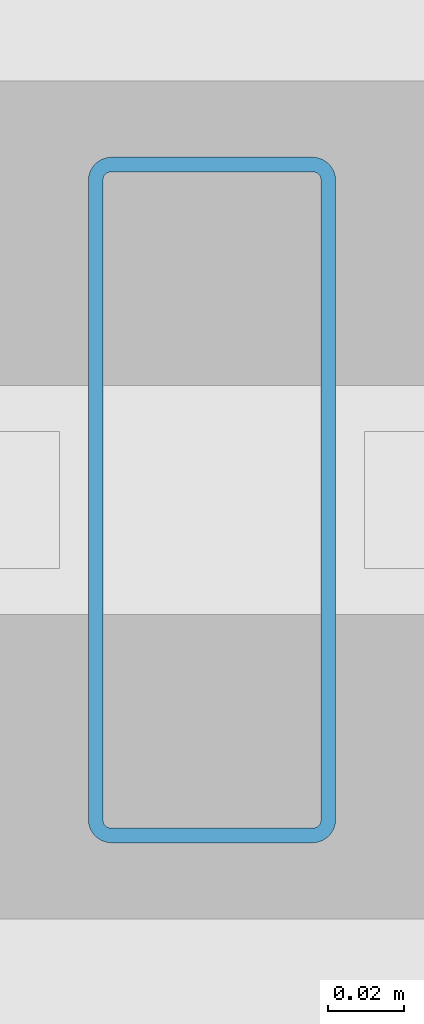
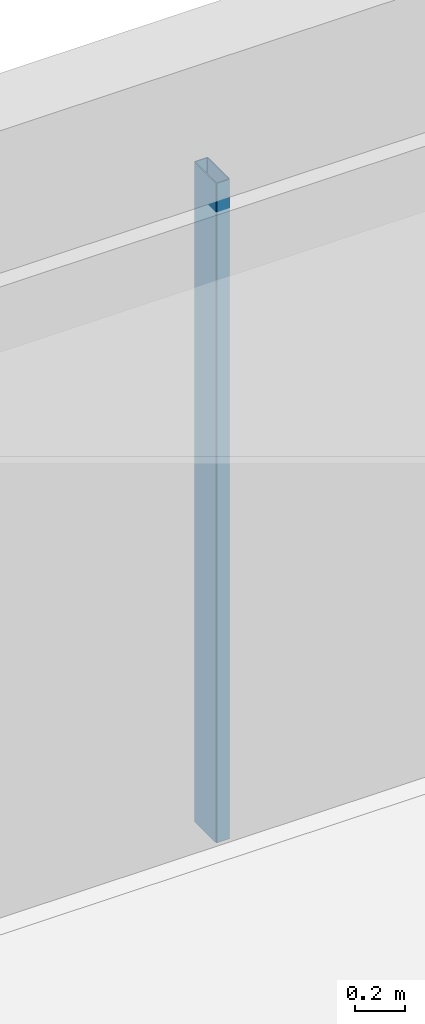
# One storey, part 10 of 63: 1 member, 1 element without a shape of its own.
"""IFC4 building model written with IfcOpenShell, lengths in metres."""

import ifcopenshell
import ifcopenshell.guid

model = None  # the IFC model being written
_history = None  # IfcOwnerHistory: only IFC2X3 demands one
_inside = {}  # id of a spatial element -> (the spatial element, [elements in it])
_under = {}  # id of a project, library or spatial element -> (it, [spatial elements below it])
_declared = {}  # id of a project -> (the project, [libraries it declares])
_typed = {}  # id of a type object -> (the type object, [elements of that type])
_made_of = {}  # id of a material, layer set ... -> (it, [elements and type objects made of it])


def new_model(schema):
    """Start an empty IFC model of exactly this schema.

    Asked for "IFC4X3", IfcOpenShell would pick the latest addendum, in which some entities
    have other attributes; the version numbers below select the first issue.
    IFC2X3 requires an IfcOwnerHistory on every rooted entity: one is made here for all.
    """
    global model, _history
    if schema == "IFC4X3":
        model = ifcopenshell.file(schema_version=(4, 3, 0, 0))
    else:
        model = ifcopenshell.file(schema=schema)
    _inside.clear()
    _under.clear()
    _declared.clear()
    _typed.clear()
    _made_of.clear()
    _history = None
    if model.schema == "IFC2X3":
        org = make("IfcOrganization", Name="unknown")
        user = make(
            "IfcPersonAndOrganization",
            ThePerson=make("IfcPerson", FamilyName="unknown"),
            TheOrganization=org,
        )
        app = make(
            "IfcApplication",
            ApplicationDeveloper=org,
            Version="unknown",
            ApplicationFullName="unknown",
            ApplicationIdentifier="unknown",
        )
        _history = make(
            "IfcOwnerHistory",
            OwningUser=user,
            OwningApplication=app,
            ChangeAction="ADDED",
            CreationDate=0,
        )
    return model


def make(cls, **values):
    """One entity of the class cls with the attributes given. An attribute that is None is left unset."""
    return model.create_entity(
        cls, **{name: value for name, value in values.items() if value is not None}
    )


def rooted(cls, **values):
    """An entity with a GlobalId (a new one), such as an element, a storey or a relation."""
    return make(cls, GlobalId=ifcopenshell.guid.new(), OwnerHistory=_history, **values)


def si_unit(unit_type, name, prefix=None):
    """IfcSIUnit, for example si_unit("LENGTHUNIT", "METRE", prefix="MILLI")."""
    return make("IfcSIUnit", UnitType=unit_type, Prefix=prefix, Name=name)


def assignment(units):
    """IfcUnitAssignment: the units of a project."""
    return None if units is None else make("IfcUnitAssignment", Units=units)


def point(xyz):
    """IfcCartesianPoint."""
    return None if xyz is None else make("IfcCartesianPoint", Coordinates=xyz)


def direction(xyz):
    """IfcDirection."""
    return None if xyz is None else make("IfcDirection", DirectionRatios=xyz)


def frame(location, z_axis=None, x_axis=None):
    """IfcAxis2Placement3D, a coordinate frame: its origin and axes. An axis left out is left unset."""
    return make(
        "IfcAxis2Placement3D",
        Location=point(location),
        Axis=direction(z_axis),
        RefDirection=direction(x_axis),
    )


def frame_2d(location, x_axis=None):
    """IfcAxis2Placement2D, a coordinate frame in the plane: its origin and x axis."""
    return make(
        "IfcAxis2Placement2D", Location=point(location), RefDirection=direction(x_axis)
    )


def origin():
    """The frame at (0, 0, 0) with its axes left unset."""
    return frame((0.0, 0.0, 0.0))


def origin_2d():
    """The frame at (0, 0) in the plane with its x axis left unset."""
    return frame_2d((0.0, 0.0))


def place(relative_to, where):
    """IfcLocalPlacement: puts the frame where relative to a parent placement (None: the world)."""
    return make(
        "IfcLocalPlacement", PlacementRelTo=relative_to, RelativePlacement=where
    )


def context(
    kind, dimensions, precision=None, world=None, true_north=None, identifier=None
):
    """IfcGeometricRepresentationContext, for example the 3D "Model" context."""
    return make(
        "IfcGeometricRepresentationContext",
        ContextIdentifier=identifier,
        ContextType=kind,
        CoordinateSpaceDimension=dimensions,
        Precision=precision,
        WorldCoordinateSystem=world,
        TrueNorth=true_north,
    )


def subcontext(parent, identifier, kind, view, scale=None):
    """IfcGeometricRepresentationSubContext, for example "Body" below "Model"."""
    return make(
        "IfcGeometricRepresentationSubContext",
        ContextIdentifier=identifier,
        ContextType=kind,
        ParentContext=parent,
        TargetScale=scale,
        TargetView=view,
    )


def project(units=None, contexts=None):
    """IfcProject with its units and contexts."""
    return rooted(
        "IfcProject",
        Name="project",
        RepresentationContexts=contexts,
        UnitsInContext=assignment(units),
    )


def spatial(cls, under=None, at=None, **own):
    """A site, building, storey or space (cls), placed at a placement, below another one or the project."""
    s = rooted(cls, ObjectPlacement=at, **own)
    if under is not None:
        _under.setdefault(under.id(), (under, []))[1].append(s)
    return s


def profile(cls, at=None, kind="AREA", **sizes):
    """A parametric profile (cls). Its sizes go by their IFC names, for example OverallWidth=200.0."""
    return make(cls, ProfileType=kind, Position=at, **sizes)


def hollow_rectangle(**sizes):
    """IfcRectangleHollowProfileDef."""
    return profile("IfcRectangleHollowProfileDef", **sizes)


def extrude(swept, where, along, depth):
    """IfcExtrudedAreaSolid: the profile swept, set in the frame where, extruded along a direction by depth."""
    return make(
        "IfcExtrudedAreaSolid",
        SweptArea=swept,
        Position=where,
        ExtrudedDirection=direction(along),
        Depth=depth,
    )


def shape(context_of_items, identifier, shape_type, items):
    """IfcShapeRepresentation: the items that make up one representation, for example the "Body"."""
    return make(
        "IfcShapeRepresentation",
        ContextOfItems=context_of_items,
        RepresentationIdentifier=identifier,
        RepresentationType=shape_type,
        Items=items,
    )


def material(Name=None, Category=None):
    """IfcMaterial."""
    return make("IfcMaterial", Name=Name, Category=Category)


def material_profile(
    of_material, cross_section, Name=None, Category=None, Priority=None
):
    """IfcMaterialProfile: a cross section and its material."""
    return make(
        "IfcMaterialProfile",
        Name=Name,
        Material=of_material,
        Profile=cross_section,
        Priority=Priority,
        Category=Category,
    )


def profile_set(profiles, Name=None, composite=None):
    """IfcMaterialProfileSet."""
    return make(
        "IfcMaterialProfileSet",
        Name=Name,
        MaterialProfiles=profiles,
        CompositeProfile=composite,
    )


def made_of(thing, what):
    """Note that an element or type object is made of a material, layer set ...; save() writes the relation."""
    if what is not None:
        _made_of.setdefault(what.id(), (what, []))[1].append(thing)
    return thing


def type_object(cls, material=None, **own):
    """A type object (cls), such as IfcWallType, which elements share."""
    return made_of(rooted(cls, **own), material)


def element(
    cls,
    number,
    at=None,
    inside=None,
    cuts=None,
    type_object=None,
    material=None,
    context=None,
    identifier="Body",
    shape_type=None,
    held_by="IfcProductDefinitionShape",
    body=None,
    shapes=None,
    **own,
):
    """One element of the class cls, such as IfcWall. Its Tag is "e" and its number.

    at: its placement. inside: the storey or other place that contains it. cuts: it is an
    opening in that element (IfcRelVoidsElement). A single representation is given by context,
    identifier, shape_type and body (its items); several are given by shapes. held_by: the class
    of the entity that holds the representations. save() writes the other relations.
    """
    e = rooted(cls, Tag="e%d" % number, ObjectPlacement=at, **own)
    if body is not None:
        shapes = [shape(context, identifier, shape_type, body)]
    if shapes is not None:
        e.Representation = make(held_by, Representations=shapes)
    if inside is not None:
        _inside.setdefault(inside.id(), (inside, []))[1].append(e)
    if cuts is not None:
        rooted(
            "IfcRelVoidsElement", RelatingBuildingElement=cuts, RelatedOpeningElement=e
        )
    if type_object is not None:
        _typed.setdefault(type_object.id(), (type_object, []))[1].append(e)
    return made_of(e, material)


def aggregate(whole, parts):
    """IfcRelAggregates: a whole, such as a stair, and the parts it consists of."""
    return rooted("IfcRelAggregates", RelatingObject=whole, RelatedObjects=parts)


def save(model, path):
    """Write the relations noted so far, then the file.

    IfcRelAggregates (storeys below a building ...), IfcRelContainedInSpatialStructure (elements
    in a storey), IfcRelDefinesByType, IfcRelAssociatesMaterial and IfcRelDeclares: one each for
    every whole, place, type object, material and project.
    """
    for whole, parts in _under.values():
        aggregate(whole, parts)
    for where, things in _inside.values():
        rooted(
            "IfcRelContainedInSpatialStructure",
            RelatedElements=things,
            RelatingStructure=where,
        )
    for kind, things in _typed.values():
        rooted("IfcRelDefinesByType", RelatedObjects=things, RelatingType=kind)
    for what, things in _made_of.values():
        rooted("IfcRelAssociatesMaterial", RelatedObjects=things, RelatingMaterial=what)
    for by, libraries in _declared.values():
        rooted("IfcRelDeclares", RelatingContext=by, RelatedDefinitions=libraries)
    model.write(path)


model = new_model("IFC4")

# Units and contexts
model_context = context("Model", 3, precision=1e-05, world=origin(), true_north=direction((0.0, 1.0)))
body_context = subcontext(model_context, "Body", "Model", "MODEL_VIEW")
ifc_project = project(units=[si_unit("LENGTHUNIT", "METRE"), si_unit("AREAUNIT", "SQUARE_METRE"), si_unit("VOLUMEUNIT", "CUBIC_METRE"), si_unit("PLANEANGLEUNIT", "RADIAN"), si_unit("MASSUNIT", "GRAM", prefix="KILO")], contexts=[model_context])

# Site, building, storey
site_placement = place(None, origin())
site = spatial("IfcSite", under=ifc_project, at=site_placement, CompositionType="ELEMENT")
building_placement = place(site_placement, origin())
building = spatial("IfcBuilding", under=site, at=building_placement, Name="Varnabhumi Central Station", CompositionType="ELEMENT")
storey_placement = place(building_placement, frame((0.0, 0.0, 20.39990234375)))
storey = spatial("IfcBuildingStorey", under=building, at=storey_placement, Name="L04", CompositionType="ELEMENT", Elevation=20.39990234375)

# Curtain wall, member
ifc_material = material(Name="Anodised aluminium 6063-T6", Category="aluminium")
curtain_wall_type = type_object("IfcCurtainWallType", Name="CW-PATIO-LOGGIA-L3", PredefinedType="NOTDEFINED", material=ifc_material)
curtain_wall_placement = place(storey_placement, origin())
curtain_wall = element("IfcCurtainWall", 1, at=curtain_wall_placement, inside=storey, type_object=curtain_wall_type, Name="Curtain Wall CW-SP4S2", PredefinedType="NOTDEFINED")
ifc_material_profile = material_profile(ifc_material, hollow_rectangle(XDim=0.06494140625, YDim=0.179931640625, WallThickness=0.00390625, InnerFilletRadius=0.001953125, OuterFilletRadius=0.006103515625, at=origin_2d()), Name="Anodised aluminium 6063-T6", Category="aluminium")
ifc_profile_set = profile_set([ifc_material_profile], Name="Anodised aluminium 6063-T6")
member_type = type_object("IfcMemberType", Name="CW-MUL-180", PredefinedType="MULLION", material=ifc_profile_set)
member_placement = place(storey_placement, frame((122.806640625, 9.0, 0.0), z_axis=(0.0, 0.0, 1.0), x_axis=(1.0, 0.0, 0.0)))
member = element("IfcMember", 2, at=member_placement, type_object=member_type, Name="Curtain Wall Mullion CW-SP4S2-M2", PredefinedType="MULLION", context=body_context, shape_type="SweptSolid", body=[
    extrude(hollow_rectangle(XDim=0.06494140625, YDim=0.179931640625, WallThickness=0.00390625, InnerFilletRadius=0.001953125, OuterFilletRadius=0.006103515625, at=origin_2d()), origin(), (0.0, 0.0, 1.0), 3.239990234375),
])
aggregate(curtain_wall, [member])

save(model, "model.ifc")
